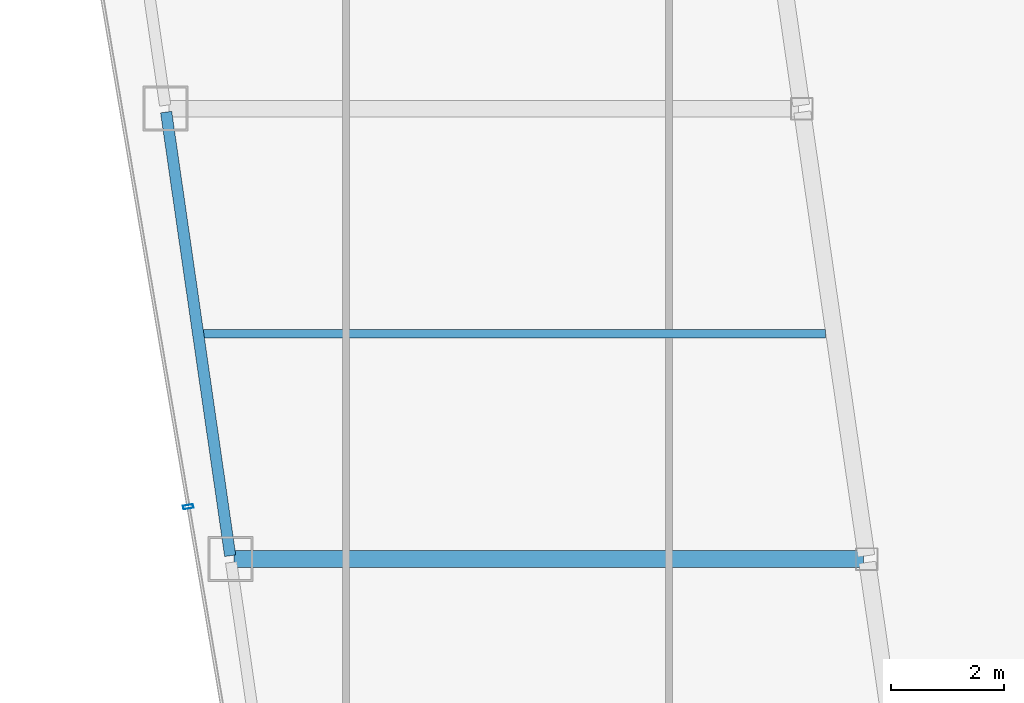
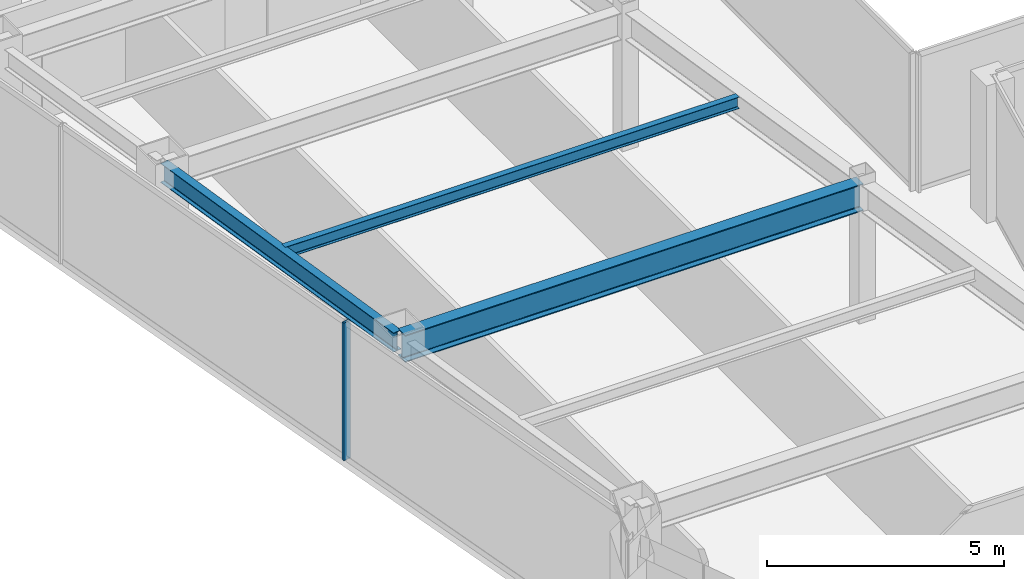
# One storey, part 5 of 36: 3 beams, 1 member, 1 element without a shape of its own.
"""IFC4 building model written with IfcOpenShell, lengths in metres."""

from ifc_helpers import new_model, si_unit, direction, frame, origin, origin_2d, place, context, subcontext, project, spatial, hollow_rectangle, i_section, extrude, material, material_profile, profile_set, type_object, element, aggregate, save


model = new_model("IFC4")

# Units and contexts
model_context = context("Model", 3, precision=1e-05, world=origin(), true_north=direction((0.0, 1.0)))
body_context = subcontext(model_context, "Body", "Model", "MODEL_VIEW")
ifc_project = project(units=[si_unit("LENGTHUNIT", "METRE"), si_unit("AREAUNIT", "SQUARE_METRE"), si_unit("VOLUMEUNIT", "CUBIC_METRE"), si_unit("PLANEANGLEUNIT", "RADIAN"), si_unit("MASSUNIT", "GRAM", prefix="KILO")], contexts=[model_context])

# Site, building, storey
site_placement = place(None, origin())
site = spatial("IfcSite", under=ifc_project, at=site_placement, CompositionType="ELEMENT")
building_placement = place(site_placement, origin())
building = spatial("IfcBuilding", under=site, at=building_placement, Name="Saevonmaru Cultural Tower", CompositionType="ELEMENT")
storey_placement = place(building_placement, frame((0.0, 0.0, 205.60009765625)))
storey = spatial("IfcBuildingStorey", under=building, at=storey_placement, Name="L47", CompositionType="ELEMENT", Elevation=205.60009765625)

# Beams
ifc_material_1 = material(Name="Steel SM355", Category="steel")
ifc_material_profile_1 = material_profile(ifc_material_1, i_section(OverallWidth=0.300048828125, OverallDepth=0.699951171875, WebThickness=0.012939453125, FlangeThickness=0.02392578125, FilletRadius=0.02587890625, at=origin_2d()), Name="H-700x300x13x24")
ifc_profile_set_1 = profile_set([ifc_material_profile_1], Name="Steel SM355")
beam_type_1 = type_object("IfcBeamType", Name="BM-G-H700", PredefinedType="BEAM", material=ifc_profile_set_1)
beam_1_placement = place(storey_placement, frame((9.531982421875, 24.0, 3.199951171875), z_axis=(1.0, 0.0, 0.0), x_axis=(0.0, 1.0, 0.0)))
element("IfcBeam", 1, at=beam_1_placement, inside=storey, type_object=beam_type_1, Name="L47 West Wing Transverse Girder 2", PredefinedType="BEAM", context=body_context, shape_type="SweptSolid", body=[
    extrude(i_section(OverallWidth=0.300048828125, OverallDepth=0.699951171875, WebThickness=0.012939453125, FlangeThickness=0.02392578125, FilletRadius=0.02587890625, at=origin_2d()), origin(), (0.0, 0.0, 1.0), 11.179931640625),
])
ifc_material_profile_2 = material_profile(ifc_material_1, i_section(OverallWidth=0.14990234375, OverallDepth=0.300048828125, WebThickness=0.006591796875, FlangeThickness=0.009033203125, FilletRadius=0.012939453125, at=origin_2d()), Name="H-300x150x6.5x9")
ifc_profile_set_2 = profile_set([ifc_material_profile_2], Name="Steel SM355")
beam_type_2 = type_object("IfcBeamType", Name="BM-J-H300", PredefinedType="JOIST", material=ifc_profile_set_2)
beam_2_placement = place(storey_placement, frame((8.95458984375, 28.0, 3.39990234375), z_axis=(1.0, 0.0, 0.0), x_axis=(0.0, 1.0, 0.0)))
element("IfcBeam", 2, at=beam_2_placement, inside=storey, type_object=beam_type_2, Name="L47 West Wing Floor Joist 2", PredefinedType="JOIST", context=body_context, shape_type="SweptSolid", body=[
    extrude(i_section(OverallWidth=0.14990234375, OverallDepth=0.300048828125, WebThickness=0.006591796875, FlangeThickness=0.009033203125, FilletRadius=0.012939453125, at=origin_2d()), origin(), (0.0, 0.0, 1.0), 11.08203125),
])
ifc_material_profile_3 = material_profile(ifc_material_1, i_section(OverallWidth=0.199951171875, OverallDepth=0.5, WebThickness=0.010009765625, FlangeThickness=0.01611328125, FilletRadius=0.02001953125, at=origin_2d()), Name="H-500x200x10x16")
ifc_profile_set_3 = profile_set([ifc_material_profile_3], Name="Steel SM355")
beam_type_3 = type_object("IfcBeamType", Name="BM-SP-H500", PredefinedType="SPANDREL", material=ifc_profile_set_3)
beam_3_placement = place(storey_placement, frame((9.46337890625, 24.059326171875, 3.2998046875), z_axis=(-0.142871999001, 0.989741174197, 0.0), x_axis=(-0.989741174197, -0.142871999001, 0.0)))
element("IfcBeam", 3, at=beam_3_placement, inside=storey, type_object=beam_type_3, Name="L47 West Splayed Spandrel 2", PredefinedType="SPANDREL", context=body_context, shape_type="SweptSolid", body=[
    extrude(i_section(OverallWidth=0.199951171875, OverallDepth=0.5, WebThickness=0.010009765625, FlangeThickness=0.01611328125, FilletRadius=0.02001953125, at=origin_2d()), origin(), (0.0, 0.0, 1.0), 7.963134765625),
])

# Curtain wall, member
ifc_material_2 = material(Name="Satin Bronze Anodised Aluminium", Category="aluminium")
curtain_wall_type = type_object("IfcCurtainWallType", Name="CW-TYP-B", PredefinedType="NOTDEFINED", material=ifc_material_2)
curtain_wall_placement = place(storey_placement, origin())
curtain_wall = element("IfcCurtainWall", 4, at=curtain_wall_placement, inside=storey, type_object=curtain_wall_type, Name="L47 Unitised Curtain Wall E12", PredefinedType="NOTDEFINED")
ifc_material_profile_4 = material_profile(ifc_material_2, hollow_rectangle(XDim=0.06494140625, YDim=0.179931640625, WallThickness=0.00390625, at=origin_2d()), Name="ALU-MULL-180x65x4")
ifc_profile_set_4 = profile_set([ifc_material_profile_4], Name="Satin Bronze Anodised Aluminium")
member_type = type_object("IfcMemberType", Name="ML-CW-180x65", PredefinedType="MULLION", material=ifc_profile_set_4)
member_placement = place(storey_placement, frame((8.71826171875, 24.9296875, 0.0), z_axis=(0.0, 0.0, 1.0), x_axis=(0.16692169721, -0.985970155228, 0.0)))
member = element("IfcMember", 5, at=member_placement, type_object=member_type, Name="CW-TW-L47-E12 mullion 4", PredefinedType="MULLION", context=body_context, shape_type="SweptSolid", body=[
    extrude(hollow_rectangle(XDim=0.06494140625, YDim=0.179931640625, WallThickness=0.00390625, at=origin_2d()), origin(), (0.0, 0.0, 1.0), 3.5498046875),
])
aggregate(curtain_wall, [member])

save(model, "model.ifc")
